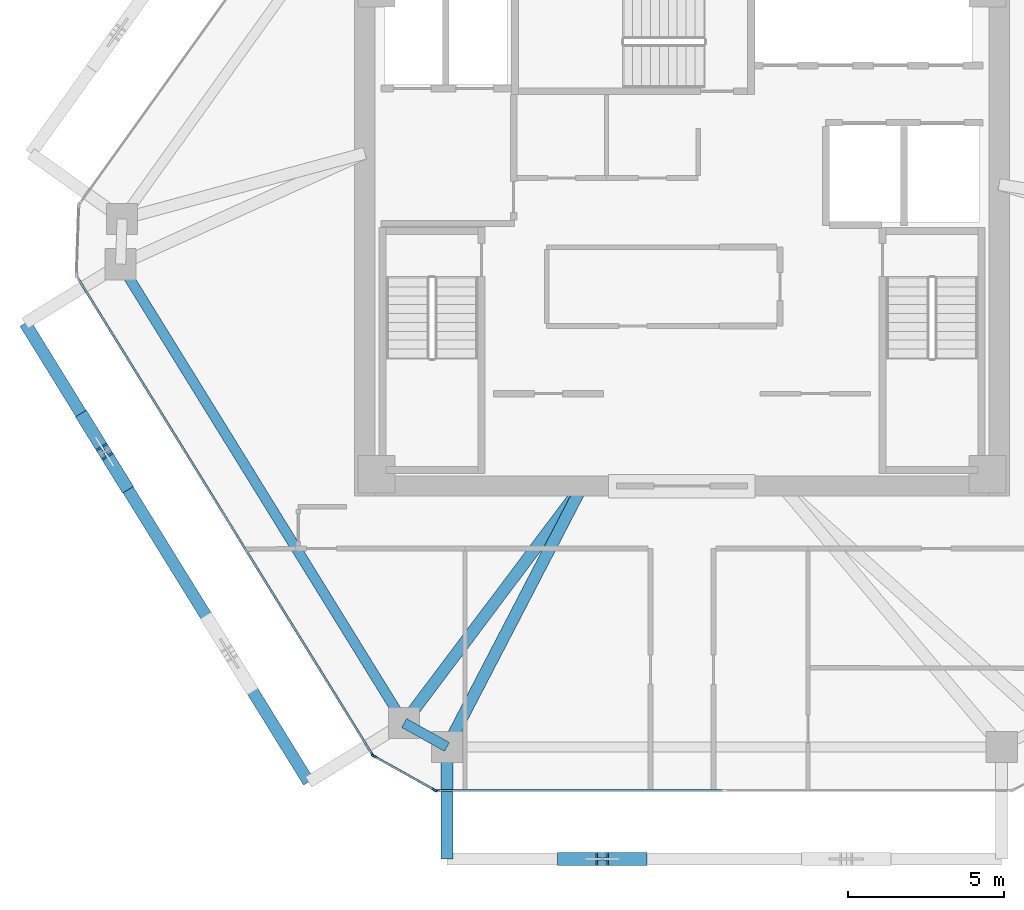
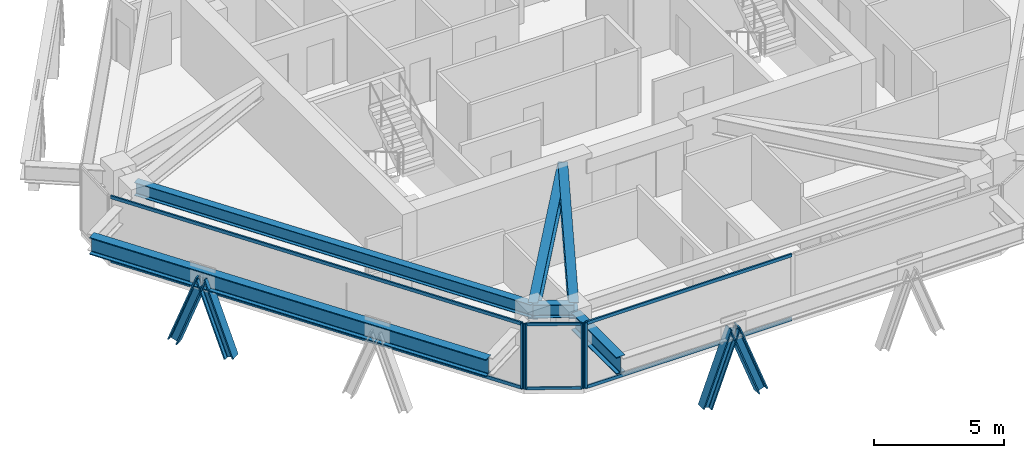
# One storey, part 2 of 14: 14 members, 6 beams, 3 elements without a shape of their own.
"""IFC4 building model written with IfcOpenShell, lengths in metres."""

from ifc_helpers import new_model, si_unit, direction, frame, origin, origin_2d, place, context, subcontext, project, spatial, rectangle, i_section, extrude, source, transform, mapped, material, layer, layer_set, material_profile, profile_set, type_object, type_shapes, element, aggregate, save


model = new_model("IFC4")

# Units and contexts
model_context = context("Model", 3, precision=1e-05, world=origin(), true_north=direction((0.0, 1.0)))
body_context = subcontext(model_context, "Body", "Model", "MODEL_VIEW")
ifc_project = project(units=[si_unit("LENGTHUNIT", "METRE"), si_unit("AREAUNIT", "SQUARE_METRE"), si_unit("VOLUMEUNIT", "CUBIC_METRE"), si_unit("PLANEANGLEUNIT", "RADIAN"), si_unit("MASSUNIT", "GRAM", prefix="KILO")], contexts=[model_context])

# Site, building, storey
site_placement = place(None, origin())
site = spatial("IfcSite", under=ifc_project, at=site_placement, CompositionType="ELEMENT")
building_placement = place(site_placement, origin())
building = spatial("IfcBuilding", under=site, at=building_placement, Name="Durnholm Broadcast Tower", CompositionType="ELEMENT")
storey_placement = place(building_placement, frame((0.0, 0.0, 187.0)))
storey = spatial("IfcBuildingStorey", under=building, at=storey_placement, Name="L51", CompositionType="ELEMENT", Elevation=187.0)

# Beams
ifc_material_1 = material(Name="Steel ASTM A992 Grade 50", Category="steel")
ifc_material_profile_1 = material_profile(ifc_material_1, i_section(OverallWidth=0.385009765625, OverallDepth=0.802978515625, WebThickness=0.023681640625, FlangeThickness=0.0419921875, FilletRadius=0.032958984375, at=origin_2d()), Name="W30X261")
ifc_profile_set_1 = profile_set([ifc_material_profile_1], Name="Steel ASTM A992 Grade 50")
beam_type_1 = type_object("IfcBeamType", Name="BM-EXO-TIE", PredefinedType="USERDEFINED", material=ifc_profile_set_1)
shared_shape_1 = source(origin(), body_context, "Body", "SweptSolid", [
    extrude(i_section(OverallWidth=0.385009765625, OverallDepth=0.802978515625, WebThickness=0.023681640625, FlangeThickness=0.0419921875, FilletRadius=0.032958984375, at=origin_2d()), origin(), (0.0, 0.0, 1.0), 3.4560546875),
])
beam_1_placement = place(storey_placement, frame((-7.53955078125, -16.68603515625, 2.30859375), z_axis=(0.0, -1.0, 0.0), x_axis=(1.0, 0.0, 0.0)))
element("IfcBeam", 1, at=beam_1_placement, inside=storey, type_object=beam_type_1, Name="L51 exoskeleton stand-off tie bracket F1.1", ObjectType="GIRDER", PredefinedType="USERDEFINED", context=body_context, shape_type="MappedRepresentation", body=[
    mapped(shared_shape_1, transform((0.0, 0.0, 0.0), x_axis=(1.0, 0.0, 0.0), y_axis=(0.0, 1.0, 0.0), z_axis=(0.0, 0.0, 1.0), scale=1.0)),
])
ifc_material_profile_2 = material_profile(ifc_material_1, i_section(OverallWidth=0.3251953125, OverallDepth=0.6162109375, WebThickness=0.013916015625, FlangeThickness=0.021484375, FilletRadius=0.02783203125, at=origin_2d()), Name="W24X117")
ifc_profile_set_2 = profile_set([ifc_material_profile_2], Name="Steel ASTM A992 Grade 50")
beam_type_2 = type_object("IfcBeamType", Name="STL-SP-W24X117", PredefinedType="SPANDREL", material=ifc_profile_set_2)
shared_shape_2 = source(origin(), body_context, "Body", "SweptSolid", [
    extrude(i_section(OverallWidth=0.3251953125, OverallDepth=0.6162109375, WebThickness=0.013916015625, FlangeThickness=0.021484375, FilletRadius=0.02783203125, at=origin_2d()), origin(), (0.0, 0.0, 1.0), 17.3037109375),
])
beam_2_placement = place(storey_placement, frame((-8.91259765625, -15.7763671875, 2.73681640625), z_axis=(-0.525695324718, 0.850672925142, 0.0), x_axis=(-0.850672925142, -0.525695324718, 0.0)))
element("IfcBeam", 2, at=beam_2_placement, inside=storey, type_object=beam_type_2, Name="L51 perimeter spandrel girder 01", PredefinedType="SPANDREL", context=body_context, shape_type="MappedRepresentation", body=[
    mapped(shared_shape_2, transform((0.0, 0.0, 0.0), x_axis=(1.0, 0.0, 0.0), y_axis=(0.0, 1.0, 0.0), z_axis=(0.0, 0.0, 1.0), scale=1.0)),
])
shared_shape_3 = source(origin(), body_context, "Body", "SweptSolid", [
    extrude(i_section(OverallWidth=0.3251953125, OverallDepth=0.6162109375, WebThickness=0.013916015625, FlangeThickness=0.021484375, FilletRadius=0.02783203125, at=origin_2d()), origin(), (0.0, 0.0, 1.0), 1.572021484375),
])
type_shapes(beam_type_2, [shared_shape_2, shared_shape_3])
beam_3_placement = place(storey_placement, frame((-7.53955078125, -16.5419921875, 2.73681640625), z_axis=(-0.873394362663, 0.487013641769, 0.0), x_axis=(-0.487013641769, -0.873394362663, 0.0)))
element("IfcBeam", 3, at=beam_3_placement, inside=storey, type_object=beam_type_2, Name="L51 perimeter spandrel girder 12", PredefinedType="SPANDREL", context=body_context, shape_type="MappedRepresentation", body=[
    mapped(shared_shape_3, transform((0.0, 0.0, 0.0), x_axis=(1.0, 0.0, 0.0), y_axis=(0.0, 1.0, 0.0), z_axis=(0.0, 0.0, 1.0), scale=1.0)),
])
shared_shape_4 = source(origin(), body_context, "Body", "SweptSolid", [
    extrude(i_section(OverallWidth=0.385009765625, OverallDepth=0.802978515625, WebThickness=0.023681640625, FlangeThickness=0.0419921875, FilletRadius=0.032958984375, at=origin_2d()), origin(), (0.0, 0.0, 1.0), 17.303466796875),
])
type_shapes(beam_type_1, [shared_shape_1, shared_shape_4])
beam_4_placement = place(storey_placement, frame((-21.071533203125, -2.94921875, 2.30859375), z_axis=(0.525701634347, -0.850669025911, 0.0), x_axis=(0.850669025911, 0.525701634347, 0.0)))
element("IfcBeam", 4, at=beam_4_placement, inside=storey, type_object=beam_type_1, Name="L51 exoskeleton collector spandrel F6", PredefinedType="SPANDREL", context=body_context, shape_type="MappedRepresentation", body=[
    mapped(shared_shape_4, transform((0.0, 0.0, 0.0), x_axis=(1.0, 0.0, 0.0), y_axis=(0.0, 1.0, 0.0), z_axis=(0.0, 0.0, 1.0), scale=1.0)),
])
ifc_material_profile_3 = material_profile(ifc_material_1, i_section(OverallWidth=0.380615234375, OverallDepth=0.773193359375, WebThickness=0.0166015625, FlangeThickness=0.027099609375, FilletRadius=0.032958984375, at=origin_2d()), Name="W30X173")
ifc_profile_set_3 = profile_set([ifc_material_profile_3], Name="Steel ASTM A992 Grade 50")
beam_type_3 = type_object("IfcBeamType", Name="STL-GR-W30X173", PredefinedType="USERDEFINED", material=ifc_profile_set_3)
shared_shape_5 = source(origin(), body_context, "Body", "SweptSolid", [
    extrude(i_section(OverallWidth=0.380615234375, OverallDepth=0.773193359375, WebThickness=0.0166015625, FlangeThickness=0.027099609375, FilletRadius=0.032958984375, at=origin_2d()), origin(), (0.0, 0.0, 1.0), 9.508544921875),
])
beam_5_placement = place(storey_placement, frame((-3.199951171875, -8.175048828125, 2.658447265625), z_axis=(-0.600784359039, -0.799411129479, 0.0), x_axis=(0.799411129479, -0.600784359039, 0.0)))
element("IfcBeam", 5, at=beam_5_placement, inside=storey, type_object=beam_type_3, Name="L51 radial primary floor girder 01", ObjectType="GIRDER", PredefinedType="USERDEFINED", context=body_context, shape_type="MappedRepresentation", body=[
    mapped(shared_shape_5, transform((0.0, 0.0, 0.0), x_axis=(1.0, 0.0, 0.0), y_axis=(0.0, 1.0, 0.0), z_axis=(0.0, 0.0, 1.0), scale=1.0)),
])
shared_shape_6 = source(origin(), body_context, "Body", "SweptSolid", [
    extrude(i_section(OverallWidth=0.380615234375, OverallDepth=0.773193359375, WebThickness=0.0166015625, FlangeThickness=0.027099609375, FilletRadius=0.032958984375, at=origin_2d()), origin(), (0.0, 0.0, 1.0), 9.42529296875),
])
type_shapes(beam_type_3, [shared_shape_5, shared_shape_6])
beam_6_placement = place(storey_placement, frame((-3.199951171875, -8.175048828125, 2.658447265625), z_axis=(-0.460416206992, -0.887703169048, 0.0), x_axis=(0.887703169048, -0.460416206992, 0.0)))
element("IfcBeam", 6, at=beam_6_placement, inside=storey, type_object=beam_type_3, Name="L51 radial primary floor girder 12", ObjectType="GIRDER", PredefinedType="USERDEFINED", context=body_context, shape_type="MappedRepresentation", body=[
    mapped(shared_shape_6, transform((0.0, 0.0, 0.0), x_axis=(1.0, 0.0, 0.0), y_axis=(0.0, 1.0, 0.0), z_axis=(0.0, 0.0, 1.0), scale=1.0)),
])

# Members
ifc_material_2 = material(Name="Steel ASTM A913 Grade 65", Category="steel")
ifc_material_profile_4 = material_profile(ifc_material_2, i_section(OverallWidth=0.412109375, OverallDepth=0.434814453125, WebThickness=0.035888671875, FlangeThickness=0.057373046875, FilletRadius=0.030517578125, at=origin_2d()), Name="W14X311")
ifc_profile_set_4 = profile_set([ifc_material_profile_4], Name="Steel ASTM A913 Grade 65")
member_type_1 = type_object("IfcMemberType", Name="STL-DG-W14X311", PredefinedType="BRACE", material=ifc_profile_set_4)
shared_shape_7 = source(origin(), body_context, "Body", "SweptSolid", [
    extrude(i_section(OverallWidth=0.412109375, OverallDepth=0.434814453125, WebThickness=0.035888671875, FlangeThickness=0.057373046875, FilletRadius=0.030517578125, at=origin_2d()), origin(), (0.0, 0.0, 1.0), 3.523193359375),
])
type_shapes(member_type_1, [shared_shape_7])
for number, where, z_axis, x_axis, name in (
    (7, (-3.790283203125, -20.14208984375, -0.991455078125), (0.350158790071, 0.0, 0.936690355313), (0.0, 1.0, 0.0), "L51 stand-off diagrid brace F1.D1.1"),
    (8, (-1.32275390625, -20.14208984375, -0.991455078125), (-0.350219588454, 0.0, 0.936667625075), (0.0, -1.0, 0.0), "L51 stand-off diagrid brace F1.D1.2"),
    (9, (-19.173095703125, -6.021240234375, -0.991455078125), (0.18411903749, -0.297902800967, 0.936671821509), (0.850644447398, 0.525741404219, 0.0), "L51 stand-off diagrid brace F6.D1.1"),
    (10, (-17.8759765625, -8.120361328125, -0.991455078125), (-0.184052089489, 0.297906601172, 0.936683770188), (-0.850732935913, -0.525598203719, 0.0), "L51 stand-off diagrid brace F6.D1.2"),
):
    element("IfcMember", number, at=place(storey_placement, frame(where, z_axis=z_axis, x_axis=x_axis)), inside=storey, type_object=member_type_1, Name=name, PredefinedType="BRACE", context=body_context, shape_type="MappedRepresentation", body=[
        mapped(shared_shape_7, transform((0.0, 0.0, 0.0), x_axis=(1.0, 0.0, 0.0), y_axis=(0.0, 1.0, 0.0), z_axis=(0.0, 0.0, 1.0), scale=1.0)),
    ])

# Curtain wall, members
ifc_material_3 = material(Name="Aluminium and Solar Control IGU", Category="aluminium")
ifc_layer_1 = layer(ifc_material_3, 0.1650390625)
ifc_layer_set_1 = layer_set([ifc_layer_1], Name="Aluminium and Solar Control IGU")
curtain_wall_type_1 = type_object("IfcCurtainWallType", Name="CW-SYS-5", PredefinedType="NOTDEFINED", material=ifc_layer_set_1)
curtain_wall_1_placement = place(storey_placement, origin())
curtain_wall_1 = element("IfcCurtainWall", 11, at=curtain_wall_1_placement, inside=storey, type_object=curtain_wall_type_1, Name="L51 curtain wall CW-CORNER CW-L51-CRN-11", PredefinedType="NOTDEFINED")
ifc_material_4 = material(Name="Aluminium 6063-T6", Category="aluminium")
ifc_material_profile_5 = material_profile(ifc_material_4, rectangle(XDim=0.06494140625, YDim=0.1650390625, at=origin_2d()), Name="CWM65X165")
ifc_profile_set_5 = profile_set([ifc_material_profile_5], Name="Aluminium 6063-T6")
member_type_2 = type_object("IfcMemberType", Name="CW-SYS-5-MUL", PredefinedType="MULLION", material=ifc_profile_set_5)
shared_shape_8 = source(origin(), body_context, "Body", "SweptSolid", [
    extrude(rectangle(XDim=0.06494140625, YDim=0.1650390625, at=origin_2d()), origin(), (0.0, 0.0, 1.0), 3.06005859375),
])
type_shapes(member_type_2, [shared_shape_8])
member_1_placement = place(storey_placement, frame((-7.931884765625, -17.92626953125, 0.0), z_axis=(0.0, 0.0, 1.0), x_axis=(-0.486986043316, -0.873409751271, 0.0)))
member_1 = element("IfcMember", 12, at=member_1_placement, type_object=member_type_2, Name="CW-CORNER mullion 1", PredefinedType="MULLION", context=body_context, shape_type="MappedRepresentation", body=[
    mapped(shared_shape_8, transform((0.0, 0.0, 0.0), x_axis=(1.0, 0.0, 0.0), y_axis=(0.0, 1.0, 0.0), z_axis=(0.0, 0.0, 1.0), scale=1.0)),
])
member_2_placement = place(storey_placement, frame((-9.884033203125, -16.837646484375, 0.0), z_axis=(0.0, 0.0, 1.0), x_axis=(-0.486986043316, -0.873409751271, 0.0)))
member_2 = element("IfcMember", 13, at=member_2_placement, type_object=member_type_2, Name="CW-CORNER mullion 2", PredefinedType="MULLION", context=body_context, shape_type="MappedRepresentation", body=[
    mapped(shared_shape_8, transform((0.0, 0.0, 0.0), x_axis=(1.0, 0.0, 0.0), y_axis=(0.0, 1.0, 0.0), z_axis=(0.0, 0.0, 1.0), scale=1.0)),
])
ifc_material_profile_6 = material_profile(ifc_material_4, rectangle(XDim=0.06494140625, YDim=0.1298828125, at=origin_2d()), Name="CWT65X130")
ifc_profile_set_6 = profile_set([ifc_material_profile_6], Name="Aluminium 6063-T6")
member_type_3 = type_object("IfcMemberType", Name="CW-SYS-5-TRN", PredefinedType="USERDEFINED", material=ifc_profile_set_6)
shared_shape_9 = source(origin(), body_context, "Body", "SweptSolid", [
    extrude(rectangle(XDim=0.06494140625, YDim=0.1298828125, at=origin_2d()), origin(), (0.0, 0.0, 1.0), 2.169921875),
])
type_shapes(member_type_3, [shared_shape_9])
member_3_placement = place(storey_placement, frame((-7.960205078125, -17.910400390625, 0.032470703125), z_axis=(-0.873381360539, 0.487036958621, 0.0), x_axis=(-0.487036958621, -0.873381360539, 0.0)))
member_3 = element("IfcMember", 14, at=member_3_placement, type_object=member_type_3, Name="CW-CORNER transom 1.1", ObjectType="TRANSOM", PredefinedType="USERDEFINED", context=body_context, shape_type="MappedRepresentation", body=[
    mapped(shared_shape_9, transform((0.0, 0.0, 0.0), x_axis=(1.0, 0.0, 0.0), y_axis=(0.0, 1.0, 0.0), z_axis=(0.0, 0.0, 1.0), scale=1.0)),
])
member_4_placement = place(storey_placement, frame((-7.960205078125, -17.910400390625, 3.027587890625), z_axis=(-0.873381360539, 0.487036958621, 0.0), x_axis=(-0.487036958621, -0.873381360539, 0.0)))
member_4 = element("IfcMember", 15, at=member_4_placement, type_object=member_type_3, Name="CW-CORNER transom 1.2", ObjectType="TRANSOM", PredefinedType="USERDEFINED", context=body_context, shape_type="MappedRepresentation", body=[
    mapped(shared_shape_9, transform((0.0, 0.0, 0.0), x_axis=(1.0, 0.0, 0.0), y_axis=(0.0, 1.0, 0.0), z_axis=(0.0, 0.0, 1.0), scale=1.0)),
])
aggregate(curtain_wall_1, [member_1, member_2, member_3, member_4])

ifc_layer_2 = layer(ifc_material_3, 0.18994140625)
ifc_layer_set_2 = layer_set([ifc_layer_2], Name="Aluminium and Solar Control IGU")
curtain_wall_type_2 = type_object("IfcCurtainWallType", Name="CW-SYS-4", PredefinedType="NOTDEFINED", material=ifc_layer_set_2)
curtain_wall_2_placement = place(storey_placement, origin())
curtain_wall_2 = element("IfcCurtainWall", 16, at=curtain_wall_2_placement, inside=storey, type_object=curtain_wall_type_2, Name="L51 curtain wall CW-Z34-VIS CW-L51-F10", PredefinedType="NOTDEFINED")
ifc_material_profile_7 = material_profile(ifc_material_4, rectangle(XDim=0.070068359375, YDim=0.14990234375, at=origin_2d()), Name="CWT70X150")
ifc_profile_set_7 = profile_set([ifc_material_profile_7], Name="Aluminium 6063-T6")
member_type_4 = type_object("IfcMemberType", Name="CW-SYS-4-TRN", PredefinedType="USERDEFINED", material=ifc_profile_set_7)
shared_shape_10 = source(origin(), body_context, "Body", "SweptSolid", [
    extrude(rectangle(XDim=0.070068359375, YDim=0.14990234375, at=origin_2d()), origin(), (0.0, 0.0, 1.0), 9.14453125),
])
member_5_placement = place(storey_placement, frame((1.31103515625, -17.94189453125, 0.034912109375), z_axis=(-1.0, 0.0, 0.0), x_axis=(0.0, -1.0, 0.0)))
member_5 = element("IfcMember", 17, at=member_5_placement, type_object=member_type_4, Name="CW-Z34-VIS transom 2.1", ObjectType="TRANSOM", PredefinedType="USERDEFINED", context=body_context, shape_type="MappedRepresentation", body=[
    mapped(shared_shape_10, transform((0.0, 0.0, 0.0), x_axis=(1.0, 0.0, 0.0), y_axis=(0.0, 1.0, 0.0), z_axis=(0.0, 0.0, 1.0), scale=1.0)),
])
member_6_placement = place(storey_placement, frame((1.31103515625, -17.94189453125, 3.02490234375), z_axis=(-1.0, 0.0, 0.0), x_axis=(0.0, -1.0, 0.0)))
member_6 = element("IfcMember", 18, at=member_6_placement, type_object=member_type_4, Name="CW-Z34-VIS transom 2.2", ObjectType="TRANSOM", PredefinedType="USERDEFINED", context=body_context, shape_type="MappedRepresentation", body=[
    mapped(shared_shape_10, transform((0.0, 0.0, 0.0), x_axis=(1.0, 0.0, 0.0), y_axis=(0.0, 1.0, 0.0), z_axis=(0.0, 0.0, 1.0), scale=1.0)),
])

curtain_wall_3_placement = place(storey_placement, origin())
curtain_wall_3 = element("IfcCurtainWall", 19, at=curtain_wall_3_placement, inside=storey, type_object=curtain_wall_type_2, Name="L51 curtain wall CW-Z34-VIS CW-L51-F12", PredefinedType="NOTDEFINED")
shared_shape_11 = source(origin(), body_context, "Body", "SweptSolid", [
    extrude(rectangle(XDim=0.070068359375, YDim=0.14990234375, at=origin_2d()), origin(), (0.0, 0.0, 1.0), 17.951171875),
])
type_shapes(member_type_4, [shared_shape_10, shared_shape_11])
member_7_placement = place(storey_placement, frame((-9.94921875, -16.762451171875, 0.034912109375), z_axis=(-0.525693813807, 0.850673858847, 0.0), x_axis=(-0.850673858847, -0.525693813807, 0.0)))
member_7 = element("IfcMember", 20, at=member_7_placement, type_object=member_type_4, Name="CW-Z34-VIS transom 1.1", ObjectType="TRANSOM", PredefinedType="USERDEFINED", context=body_context, shape_type="MappedRepresentation", body=[
    mapped(shared_shape_11, transform((0.0, 0.0, 0.0), x_axis=(1.0, 0.0, 0.0), y_axis=(0.0, 1.0, 0.0), z_axis=(0.0, 0.0, 1.0), scale=1.0)),
])
member_8_placement = place(storey_placement, frame((-9.94921875, -16.762451171875, 3.02490234375), z_axis=(-0.525693813807, 0.850673858847, 0.0), x_axis=(-0.850673858847, -0.525693813807, 0.0)))
member_8 = element("IfcMember", 21, at=member_8_placement, type_object=member_type_4, Name="CW-Z34-VIS transom 1.2", ObjectType="TRANSOM", PredefinedType="USERDEFINED", context=body_context, shape_type="MappedRepresentation", body=[
    mapped(shared_shape_11, transform((0.0, 0.0, 0.0), x_axis=(1.0, 0.0, 0.0), y_axis=(0.0, 1.0, 0.0), z_axis=(0.0, 0.0, 1.0), scale=1.0)),
])

# Member
ifc_material_profile_8 = material_profile(ifc_material_4, rectangle(XDim=0.070068359375, YDim=0.18994140625, at=origin_2d()), Name="CWM70X190")
ifc_profile_set_8 = profile_set([ifc_material_profile_8], Name="Aluminium 6063-T6")
member_type_5 = type_object("IfcMemberType", Name="CW-SYS-4-MUL", PredefinedType="MULLION", material=ifc_profile_set_8)
shared_shape_12 = source(origin(), body_context, "Body", "SweptSolid", [
    extrude(rectangle(XDim=0.070068359375, YDim=0.18994140625, at=origin_2d()), origin(), (0.0, 0.0, 1.0), 3.06005859375),
])
type_shapes(member_type_5, [shared_shape_12])
member_9_placement = place(storey_placement, frame((-7.868408203125, -17.94189453125, 0.0), z_axis=(0.0, 0.0, 1.0), x_axis=(0.0, -1.0, 0.0)))
member_9 = element("IfcMember", 22, at=member_9_placement, type_object=member_type_5, Name="CW-Z34-VIS mullion 3", PredefinedType="MULLION", context=body_context, shape_type="MappedRepresentation", body=[
    mapped(shared_shape_12, transform((0.0, 0.0, 0.0), x_axis=(1.0, 0.0, 0.0), y_axis=(0.0, 1.0, 0.0), z_axis=(0.0, 0.0, 1.0), scale=1.0)),
])

aggregate(curtain_wall_2, [member_9, member_5, member_6])

member_10_placement = place(storey_placement, frame((-9.9306640625, -16.792236328125, 0.0), z_axis=(0.0, 0.0, 1.0), x_axis=(-0.850671426092, -0.525697750452, 0.0)))
member_10 = element("IfcMember", 23, at=member_10_placement, type_object=member_type_5, Name="CW-Z34-VIS mullion 1", PredefinedType="MULLION", context=body_context, shape_type="MappedRepresentation", body=[
    mapped(shared_shape_12, transform((0.0, 0.0, 0.0), x_axis=(1.0, 0.0, 0.0), y_axis=(0.0, 1.0, 0.0), z_axis=(0.0, 0.0, 1.0), scale=1.0)),
])

aggregate(curtain_wall_3, [member_10, member_7, member_8])

save(model, "model.ifc")
